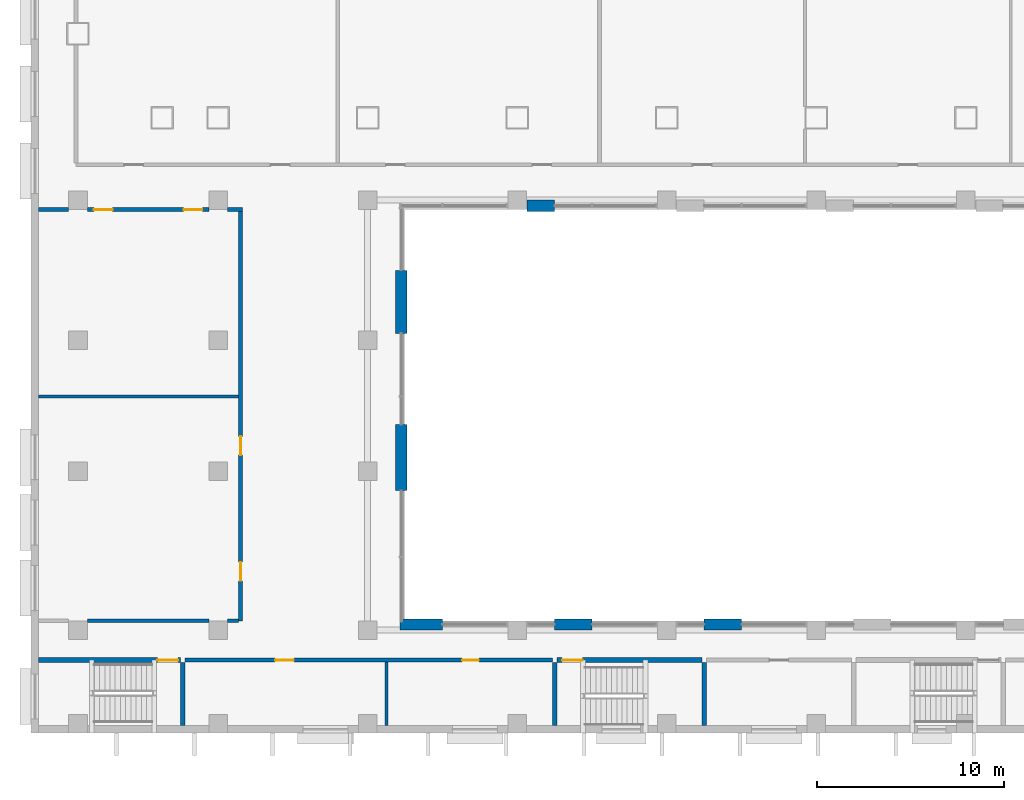
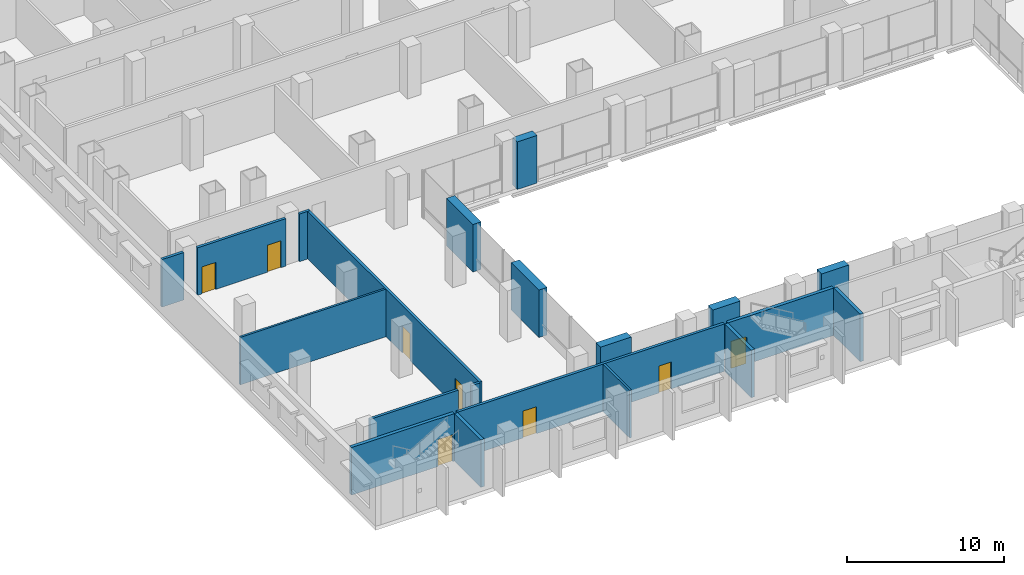
# One storey, part 7 of 25: 20 walls, 8 doors, 8 openings.
"""IFC4 building model written with IfcOpenShell, lengths in metres."""

from ifc_helpers import new_model, si_unit, direction, frame, frame_2d, origin, place, context, subcontext, project, spatial, rectangle, extrude, material, layer, layer_set, type_object, element, fill, save


model = new_model("IFC4")

# Units and contexts
model_context = context("Model", 3, precision=1e-05, world=origin(), true_north=direction((0.0, 1.0)))
body_context = subcontext(model_context, "Body", "Model", "MODEL_VIEW")
ifc_project = project(units=[si_unit("LENGTHUNIT", "METRE"), si_unit("AREAUNIT", "SQUARE_METRE"), si_unit("VOLUMEUNIT", "CUBIC_METRE"), si_unit("PLANEANGLEUNIT", "RADIAN"), si_unit("MASSUNIT", "GRAM", prefix="KILO")], contexts=[model_context])

# Site, building, storey
site_placement = place(None, origin())
site = spatial("IfcSite", under=ifc_project, at=site_placement, CompositionType="ELEMENT")
building_placement = place(site_placement, origin())
building = spatial("IfcBuilding", under=site, at=building_placement, Name="Vidyagriha Tower", CompositionType="ELEMENT")
storey_placement = place(building_placement, frame((0.0, 0.0, 18.0)))
storey = spatial("IfcBuildingStorey", under=building, at=storey_placement, Name="L04", CompositionType="ELEMENT", Elevation=18.0)

# Walls
ifc_material_1 = material(Name="Precast concrete C40/50 with brick facing", Category="concrete")
ifc_layer_1 = layer(ifc_material_1, 0.60009765625)
ifc_layer_set_1 = layer_set([ifc_layer_1], Name="Precast concrete C40/50 with brick facing")
wall_type_1 = type_object("IfcWallType", Name="Brick-faced precast wall 600", PredefinedType="STANDARD", material=ifc_layer_set_1)
for number, where, z_axis, x_axis, name in (
    (1, (-2.0, -44.199951171875, 0.0), (0.0, 0.0, 1.0), (-1.0, 0.0, 0.0), "Brick door bay wall L04 R07.12"),
    (2, (-10.0, -44.199951171875, 0.0), (0.0, 0.0, 1.0), (-1.0, 0.0, 0.0), "Brick door bay wall L04 R07.16"),
):
    element("IfcWall", number, at=place(storey_placement, frame(where, z_axis=z_axis, x_axis=x_axis)), inside=storey, type_object=wall_type_1, Name=name, PredefinedType="STANDARD", context=body_context, shape_type="SweptSolid", body=[
        extrude(rectangle(XDim=2.0, YDim=0.60009765625, at=frame_2d((1.0, 0.0))), origin(), (0.0, 0.0, 1.0), 3.699951171875),
    ])
wall_1_placement = place(storey_placement, frame((-18.0, -44.199951171875, 0.0), z_axis=(0.0, 0.0, 1.0), x_axis=(-1.0, 0.0, 0.0)))
element("IfcWall", 3, at=wall_1_placement, inside=storey, type_object=wall_type_1, Name="Brick door bay wall L04 R07.20", PredefinedType="STANDARD", context=body_context, shape_type="SweptSolid", body=[
    extrude(rectangle(XDim=2.280029296875, YDim=0.60009765625, at=frame_2d((1.14013671875, 0.0))), origin(), (0.0, 0.0, 1.0), 3.699951171875),
])
wall_2_placement = place(storey_placement, frame((-20.199951171875, -37.0400390625, 0.0), z_axis=(0.0, 0.0, 1.0), x_axis=(0.0, 1.0, 0.0)))
element("IfcWall", 4, at=wall_2_placement, inside=storey, type_object=wall_type_1, Name="Brick door bay wall L04 R08.3", PredefinedType="STANDARD", context=body_context, shape_type="SweptSolid", body=[
    extrude(rectangle(XDim=3.5400390625, YDim=0.60009765625, at=frame_2d((1.77001953125, 0.0))), origin(), (0.0, 0.0, 1.0), 3.699951171875),
])
wall_3_placement = place(storey_placement, frame((-20.199951171875, -28.626708984375, 0.0), z_axis=(0.0, 0.0, 1.0), x_axis=(0.0, 1.0, 0.0)))
element("IfcWall", 5, at=wall_3_placement, inside=storey, type_object=wall_type_1, Name="Brick door bay wall L04 R08.6", PredefinedType="STANDARD", context=body_context, shape_type="SweptSolid", body=[
    extrude(rectangle(XDim=3.373291015625, YDim=0.60009765625, at=frame_2d((1.6865234375, 0.0))), origin(), (0.0, 0.0, 1.0), 3.699951171875),
])
wall_4_placement = place(storey_placement, frame((-13.469970703125, -21.800048828125, 0.0)))
element("IfcWall", 6, at=wall_4_placement, inside=storey, type_object=wall_type_1, Name="Brick door bay wall L04 R09.4", PredefinedType="STANDARD", context=body_context, shape_type="SweptSolid", body=[
    extrude(rectangle(XDim=1.469970703125, YDim=0.60009765625, at=frame_2d((0.73486328125, 0.0))), origin(), (0.0, 0.0, 1.0), 3.699951171875),
])

# Wall, opening, door
ifc_material_2 = material(Name="Concrete C32/40", Category="concrete")
ifc_layer_2 = layer(ifc_material_2, 0.25)
ifc_layer_set_2 = layer_set([ifc_layer_2], Name="Concrete C32/40")
wall_type_2 = type_object("IfcWallType", Name="Concrete Stair Enclosure Wall 250", PredefinedType="SOLIDWALL", material=ifc_layer_set_2)
wall_5_placement = place(storey_placement, frame((-39.60009765625, -46.10009765625, 0.0)))
wall_5 = element("IfcWall", 7, at=wall_5_placement, inside=storey, type_object=wall_type_2, Name="L04 Concrete Stair Enclosure Wall 250 003", PredefinedType="SOLIDWALL", context=body_context, shape_type="SweptSolid", body=[
    extrude(rectangle(XDim=7.5751953125, YDim=0.25, at=frame_2d((3.78759765625, 0.0))), origin(), (0.0, 0.0, 1.0), 3.699951171875),
])
opening_1_placement = place(wall_5_placement, frame((6.35498046875, 0.0, 0.0)))
opening_1 = element("IfcOpeningElement", 8, at=opening_1_placement, cuts=wall_5, Name="Opening D04-59", PredefinedType="OPENING", context=body_context, shape_type="SweptSolid", body=[
    extrude(rectangle(XDim=1.10009765625, YDim=2.10009765625, at=frame_2d((0.550048828125, 1.050048828125))), frame((0.0, 0.135009765625, 0.0), z_axis=(0.0, -1.0, 0.0), x_axis=(1.0, 0.0, 0.0)), (0.0, 0.0, 1.0), 0.27001953125),
])
ifc_material_3 = material(Name="Steel fire door set", Category="steel")
door_type_1 = type_object("IfcDoorType", Name="Podium Door 1100x2100 EI 90", OperationType="NOTDEFINED", PredefinedType="DOOR", material=ifc_material_3)
door_1_placement = place(opening_1_placement, origin())
door_1 = element("IfcDoor", 9, at=door_1_placement, inside=storey, type_object=door_type_1, Name="L04 door D04-59", OperationType="SINGLE_SWING_RIGHT", OverallHeight=2.10009765625, OverallWidth=1.10009765625, PredefinedType="DOOR", context=body_context, shape_type="SweptSolid", body=[
    extrude(rectangle(XDim=1.10009765625, YDim=2.10009765625, at=frame_2d((0.550048828125, 1.050048828125))), frame((0.0, 0.02490234375, 0.0), z_axis=(0.0, -1.0, 0.0), x_axis=(1.0, 0.0, 0.0)), (0.0, 0.0, 1.0), 0.050048828125),
])
fill(opening_1, door_1)

wall_6_placement = place(storey_placement, frame((-11.875, -46.10009765625, 0.0)))
wall_6 = element("IfcWall", 10, at=wall_6_placement, inside=storey, type_object=wall_type_2, Name="L04 Concrete Stair Enclosure Wall 250 004", PredefinedType="SOLIDWALL", context=body_context, shape_type="SweptSolid", body=[
    extrude(rectangle(XDim=7.75, YDim=0.25, at=frame_2d((3.875, 0.0))), origin(), (0.0, 0.0, 1.0), 3.699951171875),
])
opening_2_placement = place(wall_6_placement, frame((0.27001953125, 0.0, 0.0)))
opening_2 = element("IfcOpeningElement", 11, at=opening_2_placement, cuts=wall_6, Name="Opening D04-61", PredefinedType="OPENING", context=body_context, shape_type="SweptSolid", body=[
    extrude(rectangle(XDim=1.10009765625, YDim=2.10009765625, at=frame_2d((0.550048828125, 1.050048828125))), frame((0.0, 0.135009765625, 0.0), z_axis=(0.0, -1.0, 0.0), x_axis=(1.0, 0.0, 0.0)), (0.0, 0.0, 1.0), 0.27001953125),
])
door_2_placement = place(opening_2_placement, origin())
door_2 = element("IfcDoor", 12, at=door_2_placement, inside=storey, type_object=door_type_1, Name="L04 door D04-61", OperationType="SINGLE_SWING_LEFT", OverallHeight=2.10009765625, OverallWidth=1.10009765625, PredefinedType="DOOR", context=body_context, shape_type="SweptSolid", body=[
    extrude(rectangle(XDim=1.10009765625, YDim=2.10009765625, at=frame_2d((0.550048828125, 1.050048828125))), frame((0.0, 0.02490234375, 0.0), z_axis=(0.0, -1.0, 0.0), x_axis=(1.0, 0.0, 0.0)), (0.0, 0.0, 1.0), 0.050048828125),
])
fill(opening_2, door_2)

# Walls
for number, where, z_axis, x_axis, name in (
    (13, (-31.89990234375, -49.60009765625, 0.0), (0.0, 0.0, 1.0), (0.0, 1.0, 0.0), "L04 Concrete Stair Enclosure Wall 250 044"),
    (14, (-12.0, -49.60009765625, 0.0), (0.0, 0.0, 1.0), (0.0, 1.0, 0.0), "L04 Concrete Stair Enclosure Wall 250 054"),
    (15, (-4.0, -49.60009765625, 0.0), (0.0, 0.0, 1.0), (0.0, 1.0, 0.0), "L04 Concrete Stair Enclosure Wall 250 057"),
):
    element("IfcWall", number, at=place(storey_placement, frame(where, z_axis=z_axis, x_axis=x_axis)), inside=storey, type_object=wall_type_2, Name=name, PredefinedType="SOLIDWALL", context=body_context, shape_type="SweptSolid", body=[
        extrude(rectangle(XDim=3.375, YDim=0.25, at=frame_2d((1.6875, 0.0))), origin(), (0.0, 0.0, 1.0), 3.699951171875),
    ])

# Wall, openings, doors
ifc_material_4 = material(Name="Fire rated gypsum board on light gauge framing")
ifc_layer_3 = layer(ifc_material_4, 0.199951171875)
ifc_layer_set_3 = layer_set([ifc_layer_3], Name="Fire rated gypsum board on light gauge framing")
wall_type_3 = type_object("IfcWallType", Name="Fire Rated Corridor Wall 200", PredefinedType="PARTITIONING", material=ifc_layer_set_3)
wall_7_placement = place(storey_placement, frame((-31.77490234375, -46.10009765625, 0.0)))
wall_7 = element("IfcWall", 16, at=wall_7_placement, inside=storey, type_object=wall_type_3, Name="L04 Fire Rated Corridor Wall 200 000", PredefinedType="PARTITIONING", context=body_context, shape_type="SweptSolid", body=[
    extrude(rectangle(XDim=19.64990234375, YDim=0.199951171875, at=frame_2d((9.824951171875, 0.0))), origin(), (0.0, 0.0, 1.0), 3.699951171875),
])
opening_3_placement = place(wall_7_placement, frame((4.824951171875, 0.0, 0.0)))
opening_3 = element("IfcOpeningElement", 17, at=opening_3_placement, cuts=wall_7, Name="Opening D04-23", PredefinedType="OPENING", context=body_context, shape_type="SweptSolid", body=[
    extrude(rectangle(XDim=1.0, YDim=2.10009765625, at=frame_2d((0.5, 1.050048828125))), frame((0.0, 0.10986328125, 0.0), z_axis=(0.0, -1.0, 0.0), x_axis=(1.0, 0.0, 0.0)), (0.0, 0.0, 1.0), 0.219970703125),
])
opening_4_placement = place(wall_7_placement, frame((14.824951171875, 0.0, 0.0)))
opening_4 = element("IfcOpeningElement", 18, at=opening_4_placement, cuts=wall_7, Name="Opening D04-24", PredefinedType="OPENING", context=body_context, shape_type="SweptSolid", body=[
    extrude(rectangle(XDim=0.89990234375, YDim=2.10009765625, at=frame_2d((0.449951171875, 1.050048828125))), frame((0.0, 0.10986328125, 0.0), z_axis=(0.0, -1.0, 0.0), x_axis=(1.0, 0.0, 0.0)), (0.0, 0.0, 1.0), 0.219970703125),
])
ifc_material_5 = material(Name="Steel fire door set", Category="steel")
door_type_2 = type_object("IfcDoorType", Name="Podium Door 1000x2100 EI 30", OperationType="NOTDEFINED", PredefinedType="DOOR", material=ifc_material_5)
door_3_placement = place(opening_3_placement, frame((1.0, 0.0, 0.0), z_axis=(0.0, 0.0, 1.0), x_axis=(-1.0, 0.0, 0.0)))
door_3 = element("IfcDoor", 19, at=door_3_placement, inside=storey, type_object=door_type_2, Name="L04 door D04-23", OperationType="SINGLE_SWING_LEFT", OverallHeight=2.10009765625, OverallWidth=1.0, PredefinedType="DOOR", context=body_context, shape_type="SweptSolid", body=[
    extrude(rectangle(XDim=1.0, YDim=2.10009765625, at=frame_2d((0.5, 1.050048828125))), frame((0.0, 0.02490234375, 0.0), z_axis=(0.0, -1.0, 0.0), x_axis=(1.0, 0.0, 0.0)), (0.0, 0.0, 1.0), 0.050048828125),
])
fill(opening_3, door_3)
ifc_material_6 = material(Name="Steel fire door set", Category="steel")
door_type_3 = type_object("IfcDoorType", Name="Podium Door 900x2100 EI 30", OperationType="NOTDEFINED", PredefinedType="DOOR", material=ifc_material_6)
door_4_placement = place(opening_4_placement, frame((0.89990234375, 0.0, 0.0), z_axis=(0.0, 0.0, 1.0), x_axis=(-1.0, 0.0, 0.0)))
door_4 = element("IfcDoor", 20, at=door_4_placement, inside=storey, type_object=door_type_3, Name="L04 door D04-24", OperationType="SINGLE_SWING_RIGHT", OverallHeight=2.10009765625, OverallWidth=0.89990234375, PredefinedType="DOOR", context=body_context, shape_type="SweptSolid", body=[
    extrude(rectangle(XDim=0.89990234375, YDim=2.10009765625, at=frame_2d((0.449951171875, 1.050048828125))), frame((0.0, 0.02490234375, 0.0), z_axis=(0.0, -1.0, 0.0), x_axis=(1.0, 0.0, 0.0)), (0.0, 0.0, 1.0), 0.050048828125),
])
fill(opening_4, door_4)

# Walls
wall_8_placement = place(storey_placement, frame((-37.0, -44.0, 0.0)))
element("IfcWall", 21, at=wall_8_placement, inside=storey, type_object=wall_type_3, Name="L04 Fire Rated Corridor Wall 200 008", PredefinedType="PARTITIONING", context=body_context, shape_type="SweptSolid", body=[
    extrude(rectangle(XDim=6.5, YDim=0.199951171875, at=frame_2d((3.25, 0.0))), origin(), (0.0, 0.0, 1.0), 3.699951171875),
])
wall_9_placement = place(storey_placement, frame((-29.5, -44.0, 0.0)))
element("IfcWall", 22, at=wall_9_placement, inside=storey, type_object=wall_type_3, Name="L04 Fire Rated Corridor Wall 200 009", PredefinedType="PARTITIONING", context=body_context, shape_type="SweptSolid", body=[
    extrude(rectangle(XDim=0.599853515625, YDim=0.199951171875, at=frame_2d((0.2998046875, 0.0))), origin(), (0.0, 0.0, 1.0), 3.699951171875),
])
wall_10_placement = place(storey_placement, frame((-39.60009765625, -22.0, 0.0)))
element("IfcWall", 23, at=wall_10_placement, inside=storey, type_object=wall_type_3, Name="L04 Fire Rated Corridor Wall 200 015", PredefinedType="PARTITIONING", context=body_context, shape_type="SweptSolid", body=[
    extrude(rectangle(XDim=1.60009765625, YDim=0.199951171875, at=frame_2d((0.800048828125, 0.0))), origin(), (0.0, 0.0, 1.0), 3.699951171875),
])

# Wall, openings, doors
wall_11_placement = place(storey_placement, frame((-37.0, -22.0, 0.0)))
wall_11 = element("IfcWall", 24, at=wall_11_placement, inside=storey, type_object=wall_type_3, Name="L04 Fire Rated Corridor Wall 200 016", PredefinedType="PARTITIONING", context=body_context, shape_type="SweptSolid", body=[
    extrude(rectangle(XDim=6.5, YDim=0.199951171875, at=frame_2d((3.25, 0.0))), origin(), (0.0, 0.0, 1.0), 3.699951171875),
])
opening_5_placement = place(wall_11_placement, frame((0.35009765625, 0.0, 0.0)))
opening_5 = element("IfcOpeningElement", 25, at=opening_5_placement, cuts=wall_11, Name="Opening D04-17", PredefinedType="OPENING", context=body_context, shape_type="SweptSolid", body=[
    extrude(rectangle(XDim=1.0, YDim=2.10009765625, at=frame_2d((0.5, 1.050048828125))), frame((0.0, 0.10986328125, 0.0), z_axis=(0.0, -1.0, 0.0), x_axis=(1.0, 0.0, 0.0)), (0.0, 0.0, 1.0), 0.219970703125),
])
opening_6_placement = place(wall_11_placement, frame((5.14990234375, 0.0, 0.0)))
opening_6 = element("IfcOpeningElement", 26, at=opening_6_placement, cuts=wall_11, Name="Opening D04-18", PredefinedType="OPENING", context=body_context, shape_type="SweptSolid", body=[
    extrude(rectangle(XDim=1.0, YDim=2.10009765625, at=frame_2d((0.5, 1.050048828125))), frame((0.0, 0.10986328125, 0.0), z_axis=(0.0, -1.0, 0.0), x_axis=(1.0, 0.0, 0.0)), (0.0, 0.0, 1.0), 0.219970703125),
])
door_5_placement = place(opening_5_placement, frame((1.0, 0.0, 0.0), z_axis=(0.0, 0.0, 1.0), x_axis=(-1.0, 0.0, 0.0)))
door_5 = element("IfcDoor", 27, at=door_5_placement, inside=storey, type_object=door_type_2, Name="L04 door D04-17", OperationType="SINGLE_SWING_LEFT", OverallHeight=2.10009765625, OverallWidth=1.0, PredefinedType="DOOR", context=body_context, shape_type="SweptSolid", body=[
    extrude(rectangle(XDim=1.0, YDim=2.10009765625, at=frame_2d((0.5, 1.050048828125))), frame((0.0, 0.02490234375, 0.0), z_axis=(0.0, -1.0, 0.0), x_axis=(1.0, 0.0, 0.0)), (0.0, 0.0, 1.0), 0.050048828125),
])
fill(opening_5, door_5)
door_6_placement = place(opening_6_placement, frame((1.0, 0.0, 0.0), z_axis=(0.0, 0.0, 1.0), x_axis=(-1.0, 0.0, 0.0)))
door_6 = element("IfcDoor", 28, at=door_6_placement, inside=storey, type_object=door_type_2, Name="L04 door D04-18", OperationType="SINGLE_SWING_RIGHT", OverallHeight=2.10009765625, OverallWidth=1.0, PredefinedType="DOOR", context=body_context, shape_type="SweptSolid", body=[
    extrude(rectangle(XDim=1.0, YDim=2.10009765625, at=frame_2d((0.5, 1.050048828125))), frame((0.0, 0.02490234375, 0.0), z_axis=(0.0, -1.0, 0.0), x_axis=(1.0, 0.0, 0.0)), (0.0, 0.0, 1.0), 0.050048828125),
])
fill(opening_6, door_6)

# Wall
wall_12_placement = place(storey_placement, frame((-29.5, -22.0, 0.0)))
element("IfcWall", 29, at=wall_12_placement, inside=storey, type_object=wall_type_3, Name="L04 Fire Rated Corridor Wall 200 017", PredefinedType="PARTITIONING", context=body_context, shape_type="SweptSolid", body=[
    extrude(rectangle(XDim=0.7998046875, YDim=0.199951171875, at=frame_2d((0.39990234375, 0.0))), origin(), (0.0, 0.0, 1.0), 3.699951171875),
])

# Wall, openings, doors
wall_13_placement = place(storey_placement, frame((-28.800048828125, -44.0, 0.0), z_axis=(0.0, 0.0, 1.0), x_axis=(0.0, 1.0, 0.0)))
wall_13 = element("IfcWall", 30, at=wall_13_placement, inside=storey, type_object=wall_type_3, Name="L04 Fire Rated Corridor Wall 200 045", PredefinedType="PARTITIONING", context=body_context, shape_type="SweptSolid", body=[
    extrude(rectangle(XDim=21.89990234375, YDim=0.199951171875, at=frame_2d((10.949951171875, 0.0))), origin(), (0.0, 0.0, 1.0), 3.699951171875),
])
opening_7_placement = place(wall_13_placement, frame((2.139892578125, 0.0, 0.0)))
opening_7 = element("IfcOpeningElement", 31, at=opening_7_placement, cuts=wall_13, Name="Opening D04-15", PredefinedType="OPENING", context=body_context, shape_type="SweptSolid", body=[
    extrude(rectangle(XDim=1.0, YDim=2.10009765625, at=frame_2d((0.5, 1.050048828125))), frame((0.0, 0.10986328125, 0.0), z_axis=(0.0, -1.0, 0.0), x_axis=(1.0, 0.0, 0.0)), (0.0, 0.0, 1.0), 0.219970703125),
])
opening_8_placement = place(wall_13_placement, frame((8.85986328125, 0.0, 0.0)))
opening_8 = element("IfcOpeningElement", 32, at=opening_8_placement, cuts=wall_13, Name="Opening D04-16", PredefinedType="OPENING", context=body_context, shape_type="SweptSolid", body=[
    extrude(rectangle(XDim=1.0, YDim=2.10009765625, at=frame_2d((0.5, 1.050048828125))), frame((0.0, 0.10986328125, 0.0), z_axis=(0.0, -1.0, 0.0), x_axis=(1.0, 0.0, 0.0)), (0.0, 0.0, 1.0), 0.219970703125),
])
door_7_placement = place(opening_7_placement, origin())
door_7 = element("IfcDoor", 33, at=door_7_placement, inside=storey, type_object=door_type_2, Name="L04 door D04-15", OperationType="SINGLE_SWING_LEFT", OverallHeight=2.10009765625, OverallWidth=1.0, PredefinedType="DOOR", context=body_context, shape_type="SweptSolid", body=[
    extrude(rectangle(XDim=1.0, YDim=2.10009765625, at=frame_2d((0.5, 1.050048828125))), frame((0.0, 0.02490234375, 0.0), z_axis=(0.0, -1.0, 0.0), x_axis=(1.0, 0.0, 0.0)), (0.0, 0.0, 1.0), 0.050048828125),
])
fill(opening_7, door_7)
door_8_placement = place(opening_8_placement, origin())
door_8 = element("IfcDoor", 34, at=door_8_placement, inside=storey, type_object=door_type_2, Name="L04 door D04-16", OperationType="SINGLE_SWING_LEFT", OverallHeight=2.10009765625, OverallWidth=1.0, PredefinedType="DOOR", context=body_context, shape_type="SweptSolid", body=[
    extrude(rectangle(XDim=1.0, YDim=2.10009765625, at=frame_2d((0.5, 1.050048828125))), frame((0.0, 0.02490234375, 0.0), z_axis=(0.0, -1.0, 0.0), x_axis=(1.0, 0.0, 0.0)), (0.0, 0.0, 1.0), 0.050048828125),
])
fill(opening_8, door_8)

# Walls
ifc_material_7 = material(Name="Gypsum board on light gauge framing")
ifc_layer_4 = layer(ifc_material_7, 0.14990234375)
ifc_layer_set_4 = layer_set([ifc_layer_4], Name="Gypsum board on light gauge framing")
wall_type_4 = type_object("IfcWallType", Name="Gypsum Board Partition 150", PredefinedType="PARTITIONING", material=ifc_layer_set_4)
wall_14_placement = place(storey_placement, frame((-39.60009765625, -32.0, 0.0)))
element("IfcWall", 35, at=wall_14_placement, inside=storey, type_object=wall_type_4, Name="L04 Gypsum Board Partition 150 014", PredefinedType="PARTITIONING", context=body_context, shape_type="SweptSolid", body=[
    extrude(rectangle(XDim=10.7001953125, YDim=0.14990234375, at=frame_2d((5.35009765625, 0.0))), origin(), (0.0, 0.0, 1.0), 3.699951171875),
])
wall_15_placement = place(storey_placement, frame((-21.0, -49.60009765625, 0.0), z_axis=(0.0, 0.0, 1.0), x_axis=(0.0, 1.0, 0.0)))
element("IfcWall", 36, at=wall_15_placement, inside=storey, type_object=wall_type_4, Name="L04 Gypsum Board Partition 150 052", PredefinedType="PARTITIONING", context=body_context, shape_type="SweptSolid", body=[
    extrude(rectangle(XDim=3.400146484375, YDim=0.14990234375, at=frame_2d((1.7001953125, 0.0))), origin(), (0.0, 0.0, 1.0), 3.699951171875),
])

save(model, "model.ifc")
